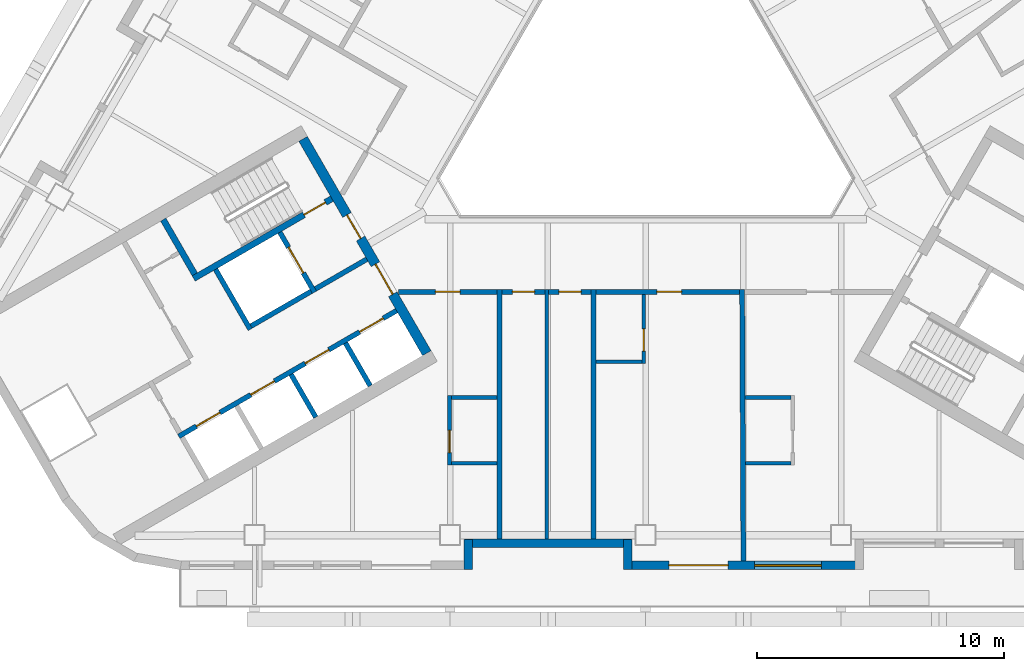
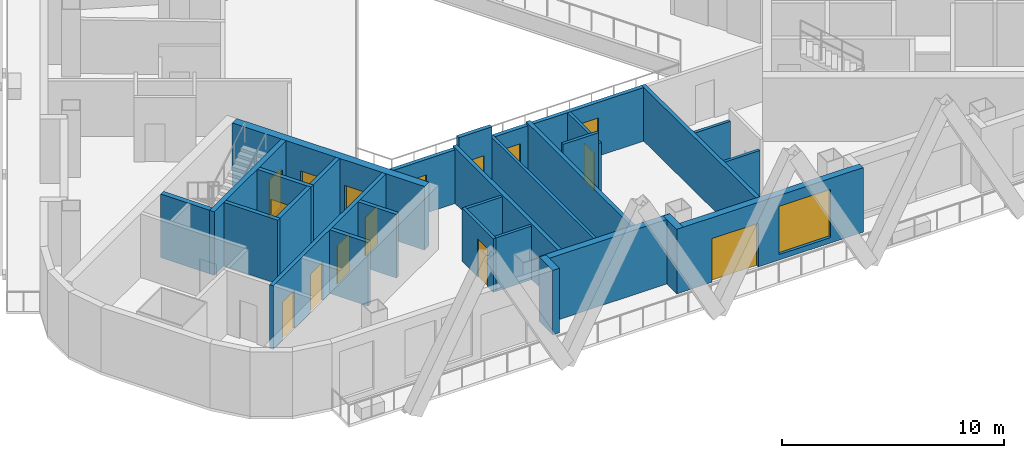
# One storey, part 3 of 14: 29 walls, 15 doors, 1 window, 16 openings.
"""IFC4 building model written with IfcOpenShell, lengths in metres."""

from ifc_helpers import new_model, si_unit, direction, frame, frame_2d, origin, place, context, subcontext, project, spatial, rectangle, extrude, material, layer, layer_set, type_object, element, fill, save


model = new_model("IFC4")

# Units and contexts
model_context = context("Model", 3, precision=1e-05, world=origin(), true_north=direction((0.0, 1.0)))
body_context = subcontext(model_context, "Body", "Model", "MODEL_VIEW")
ifc_project = project(units=[si_unit("LENGTHUNIT", "METRE"), si_unit("AREAUNIT", "SQUARE_METRE"), si_unit("VOLUMEUNIT", "CUBIC_METRE"), si_unit("PLANEANGLEUNIT", "RADIAN"), si_unit("MASSUNIT", "GRAM", prefix="KILO")], contexts=[model_context])

# Site, building, storey
site_placement = place(None, origin())
site = spatial("IfcSite", under=ifc_project, at=site_placement, CompositionType="ELEMENT")
building_placement = place(site_placement, origin())
building = spatial("IfcBuilding", under=site, at=building_placement, Name="Apuvela Tower Hotel", CompositionType="ELEMENT")
storey_placement = place(building_placement, frame((0.0, 0.0, 176.199951171875)))
storey = spatial("IfcBuildingStorey", under=building, at=storey_placement, Name="L42", CompositionType="ELEMENT", Elevation=176.199951171875)

# Wall, openings, doors
ifc_material_1 = material(Name="Concrete C50/60", Category="concrete")
ifc_layer_1 = layer(ifc_material_1, 0.39990234375)
ifc_layer_set_1 = layer_set([ifc_layer_1], Name="COR-WALL-CORE-400")
wall_type_1 = type_object("IfcWallType", Name="COR-WALL-CORE-400", PredefinedType="SHEAR", material=ifc_layer_set_1)
wall_1_placement = place(storey_placement, frame((-13.844970703125, -2.219970703125, 0.0), z_axis=(0.0, 0.0, 1.0), x_axis=(0.500004234368, -0.866022959057, 0.0)))
wall_1 = element("IfcWall", 1, at=wall_1_placement, inside=storey, type_object=wall_type_1, Name="Core wall SW", PredefinedType="SHEAR", context=body_context, shape_type="SweptSolid", body=[
    extrude(rectangle(XDim=10.0, YDim=0.39990234375, at=frame_2d((5.0, 0.0))), origin(), (0.0, 0.0, 1.0), 3.5),
])
opening_1_placement = place(wall_1_placement, frame((3.550048828125, 0.0, 0.0)))
opening_1 = element("IfcOpeningElement", 2, at=opening_1_placement, cuts=wall_1, Name="Opening W-FD", PredefinedType="OPENING", context=body_context, shape_type="SweptSolid", body=[
    extrude(rectangle(XDim=1.10009765625, YDim=2.10009765625, at=frame_2d((0.550048828125, 1.050048828125))), frame((0.0, 0.2099609375, 0.0), z_axis=(0.0, -1.0, 0.0), x_axis=(1.0, 0.0, 0.0)), (0.0, 0.0, 1.0), 0.419921875),
])
opening_2_placement = place(wall_1_placement, frame((5.85009765625, 0.0, 0.0)))
opening_2 = element("IfcOpeningElement", 3, at=opening_2_placement, cuts=wall_1, Name="Opening W-GD", PredefinedType="OPENING", context=body_context, shape_type="SweptSolid", body=[
    extrude(rectangle(XDim=1.39990234375, YDim=2.10009765625, at=frame_2d((0.699951171875, 1.050048828125))), frame((0.0, 0.2099609375, 0.0), z_axis=(0.0, -1.0, 0.0), x_axis=(1.0, 0.0, 0.0)), (0.0, 0.0, 1.0), 0.419921875),
])
ifc_material_2 = material(Name="Steel fire door, powder coated", Category="steel")
door_type_1 = type_object("IfcDoorType", Name="COR-FD-1100", OperationType="NOTDEFINED", PredefinedType="DOOR", material=ifc_material_2)
door_1_placement = place(opening_1_placement, frame((1.10009765625, 0.0, 0.0), z_axis=(0.0, 0.0, 1.0), x_axis=(-1.0, 0.0, 0.0)))
door_1 = element("IfcDoor", 4, at=door_1_placement, inside=storey, type_object=door_type_1, Name="Firefighting lobby door W-FD", OperationType="SINGLE_SWING_LEFT", OverallHeight=2.10009765625, OverallWidth=1.10009765625, PredefinedType="DOOR", context=body_context, shape_type="SweptSolid", body=[
    extrude(rectangle(XDim=1.10009765625, YDim=2.10009765625, at=frame_2d((0.550048828125, 1.050048828125))), frame((0.0, 0.02490234375, 0.0), z_axis=(0.0, -1.0, 0.0), x_axis=(1.0, 0.0, 0.0)), (0.0, 0.0, 1.0), 0.050048828125),
])
fill(opening_1, door_1)
ifc_material_3 = material(Name="Glazed steel fire door", Category="steel")
door_type_2 = type_object("IfcDoorType", Name="COR-GD-1400", OperationType="DOUBLE_DOOR_SINGLE_SWING", PredefinedType="DOOR", material=ifc_material_3)
door_2_placement = place(opening_2_placement, frame((1.39990234375, 0.0, 0.0), z_axis=(0.0, 0.0, 1.0), x_axis=(-1.0, 0.0, 0.0)))
door_2 = element("IfcDoor", 5, at=door_2_placement, inside=storey, type_object=door_type_2, Name="Lift lobby door W-GD", OperationType="DOUBLE_DOOR_SINGLE_SWING", OverallHeight=2.10009765625, OverallWidth=1.39990234375, PredefinedType="DOOR", context=body_context, shape_type="SweptSolid", body=[
    extrude(rectangle(XDim=1.39990234375, YDim=2.10009765625, at=frame_2d((0.699951171875, 1.050048828125))), frame((0.0, 0.02490234375, 0.0), z_axis=(0.0, -1.0, 0.0), x_axis=(1.0, 0.0, 0.0)), (0.0, 0.0, 1.0), 0.050048828125),
])
fill(opening_2, door_2)

# Wall
ifc_layer_2 = layer(ifc_material_1, 0.199951171875)
ifc_layer_set_2 = layer_set([ifc_layer_2], Name="COR-WALL-SHAFT-200")
wall_type_2 = type_object("IfcWallType", Name="COR-WALL-SHAFT-200", PredefinedType="SHEAR", material=ifc_layer_set_2)
wall_2_placement = place(storey_placement, frame((-17.38134765625, -7.49462890625, 0.0), z_axis=(0.0, 0.0, 1.0), x_axis=(0.500011755427, -0.866018616679, 0.0)))
element("IfcWall", 6, at=wall_2_placement, inside=storey, type_object=wall_type_2, Name="Shaft wall SW", PredefinedType="SHEAR", context=body_context, shape_type="SweptSolid", body=[
    extrude(rectangle(XDim=2.80029296875, YDim=0.199951171875, at=frame_2d((1.400146484375, 0.0))), origin(), (0.0, 0.0, 1.0), 3.5),
])

# Wall, opening, door
wall_3_placement = place(storey_placement, frame((-14.783203125, -5.99462890625, 0.0), z_axis=(0.0, 0.0, 1.0), x_axis=(0.49994636267, -0.866056369097, 0.0)))
wall_3 = element("IfcWall", 7, at=wall_3_placement, inside=storey, type_object=wall_type_2, Name="Shaft wall SW", PredefinedType="SHEAR", context=body_context, shape_type="SweptSolid", body=[
    extrude(rectangle(XDim=2.800048828125, YDim=0.199951171875, at=frame_2d((1.39990234375, 0.0))), origin(), (0.0, 0.0, 1.0), 3.5),
])
opening_3_placement = place(wall_3_placement, frame((0.699951171875, 0.0, 0.0)))
opening_3 = element("IfcOpeningElement", 8, at=opening_3_placement, cuts=wall_3, Name="Opening W-LD-FS2", PredefinedType="OPENING", context=body_context, shape_type="SweptSolid", body=[
    extrude(rectangle(XDim=1.199951171875, YDim=2.10009765625, at=frame_2d((0.60009765625, 1.050048828125))), frame((0.0, 0.10986328125, 0.0), z_axis=(0.0, -1.0, 0.0), x_axis=(1.0, 0.0, 0.0)), (0.0, 0.0, 1.0), 0.219970703125),
])
ifc_material_4 = material(Name="Stainless steel lift landing door", Category="steel")
door_type_3 = type_object("IfcDoorType", Name="COR-LD-1200", OperationType="DOUBLE_DOOR_SLIDING", PredefinedType="DOOR", material=ifc_material_4)
door_3_placement = place(opening_3_placement, origin())
door_3 = element("IfcDoor", 9, at=door_3_placement, inside=storey, type_object=door_type_3, Name="Lift landing door W-LD-FS2", OperationType="DOUBLE_DOOR_SLIDING", OverallHeight=2.10009765625, OverallWidth=1.199951171875, PredefinedType="DOOR", context=body_context, shape_type="SweptSolid", body=[
    extrude(rectangle(XDim=1.199951171875, YDim=2.10009765625, at=frame_2d((0.60009765625, 1.050048828125))), frame((0.0, 0.02490234375, 0.0), z_axis=(0.0, -1.0, 0.0), x_axis=(1.0, 0.0, 0.0)), (0.0, 0.0, 1.0), 0.050048828125),
])
fill(opening_3, door_3)

# Walls
wall_4_placement = place(storey_placement, frame((-13.519775390625, -8.383056640625, 0.0), z_axis=(0.0, 0.0, 1.0), x_axis=(-0.866034573852, -0.49998411664, 0.0)))
element("IfcWall", 10, at=wall_4_placement, inside=storey, type_object=wall_type_2, Name="Shaft wall SW", PredefinedType="SHEAR", context=body_context, shape_type="SweptSolid", body=[
    extrude(rectangle(XDim=2.7998046875, YDim=0.199951171875, at=frame_2d((1.39990234375, 0.0))), origin(), (0.0, 0.0, 1.0), 3.5),
])
wall_5_placement = place(storey_placement, frame((-11.26806640625, -7.0830078125, 0.0), z_axis=(0.0, 0.0, 1.0), x_axis=(-0.866050077142, -0.499957262057, 0.0)))
element("IfcWall", 11, at=wall_5_placement, inside=storey, type_object=wall_type_2, Name="Shaft wall SW", PredefinedType="SHEAR", context=body_context, shape_type="SweptSolid", body=[
    extrude(rectangle(XDim=2.400146484375, YDim=0.199951171875, at=frame_2d((1.2001953125, 0.0))), origin(), (0.0, 0.0, 1.0), 3.5),
])

# Wall, openings, doors
wall_6_placement = place(storey_placement, frame((-10.068115234375, -9.16162109375, 0.0), z_axis=(0.0, 0.0, 1.0), x_axis=(-0.866032725843, -0.499987317609, 0.0)))
wall_6 = element("IfcWall", 12, at=wall_6_placement, inside=storey, type_object=wall_type_2, Name="Shaft wall SW", PredefinedType="SHEAR", context=body_context, shape_type="SweptSolid", body=[
    extrude(rectangle(XDim=10.159912109375, YDim=0.199951171875, at=frame_2d((5.080078125, 0.0))), origin(), (0.0, 0.0, 1.0), 3.5),
])
opening_4_placement = place(wall_6_placement, frame((0.6201171875, 0.0, 0.0)))
opening_4 = element("IfcOpeningElement", 13, at=opening_4_placement, cuts=wall_6, Name="Opening W-LD-MR1", PredefinedType="OPENING", context=body_context, shape_type="SweptSolid", body=[
    extrude(rectangle(XDim=1.10009765625, YDim=2.10009765625, at=frame_2d((0.550048828125, 1.050048828125))), frame((0.0, 0.10986328125, 0.0), z_axis=(0.0, -1.0, 0.0), x_axis=(1.0, 0.0, 0.0)), (0.0, 0.0, 1.0), 0.219970703125),
])
opening_5_placement = place(wall_6_placement, frame((3.159912109375, 0.0, 0.0)))
opening_5 = element("IfcOpeningElement", 14, at=opening_5_placement, cuts=wall_6, Name="Opening W-LD-MR2", PredefinedType="OPENING", context=body_context, shape_type="SweptSolid", body=[
    extrude(rectangle(XDim=1.10009765625, YDim=2.10009765625, at=frame_2d((0.550048828125, 1.050048828125))), frame((0.0, 0.10986328125, 0.0), z_axis=(0.0, -1.0, 0.0), x_axis=(1.0, 0.0, 0.0)), (0.0, 0.0, 1.0), 0.219970703125),
])
opening_6_placement = place(wall_6_placement, frame((5.699951171875, 0.0, 0.0)))
opening_6 = element("IfcOpeningElement", 15, at=opening_6_placement, cuts=wall_6, Name="Opening W-LD-MR3", PredefinedType="OPENING", context=body_context, shape_type="SweptSolid", body=[
    extrude(rectangle(XDim=1.10009765625, YDim=2.10009765625, at=frame_2d((0.550048828125, 1.050048828125))), frame((0.0, 0.10986328125, 0.0), z_axis=(0.0, -1.0, 0.0), x_axis=(1.0, 0.0, 0.0)), (0.0, 0.0, 1.0), 0.219970703125),
])
opening_7_placement = place(wall_6_placement, frame((8.239990234375, 0.0, 0.0)))
opening_7 = element("IfcOpeningElement", 16, at=opening_7_placement, cuts=wall_6, Name="Opening W-LD-MR4", PredefinedType="OPENING", context=body_context, shape_type="SweptSolid", body=[
    extrude(rectangle(XDim=1.10009765625, YDim=2.10009765625, at=frame_2d((0.550048828125, 1.050048828125))), frame((0.0, 0.10986328125, 0.0), z_axis=(0.0, -1.0, 0.0), x_axis=(1.0, 0.0, 0.0)), (0.0, 0.0, 1.0), 0.219970703125),
])
door_type_4 = type_object("IfcDoorType", Name="COR-LD-1100", OperationType="DOUBLE_DOOR_SLIDING", PredefinedType="DOOR", material=ifc_material_4)
door_4_placement = place(opening_4_placement, origin())
door_4 = element("IfcDoor", 17, at=door_4_placement, inside=storey, type_object=door_type_4, Name="Lift landing door W-LD-MR1", OperationType="DOUBLE_DOOR_SLIDING", OverallHeight=2.10009765625, OverallWidth=1.10009765625, PredefinedType="DOOR", context=body_context, shape_type="SweptSolid", body=[
    extrude(rectangle(XDim=1.10009765625, YDim=2.10009765625, at=frame_2d((0.550048828125, 1.050048828125))), frame((0.0, 0.02490234375, 0.0), z_axis=(0.0, -1.0, 0.0), x_axis=(1.0, 0.0, 0.0)), (0.0, 0.0, 1.0), 0.050048828125),
])
fill(opening_4, door_4)
door_5_placement = place(opening_5_placement, origin())
door_5 = element("IfcDoor", 18, at=door_5_placement, inside=storey, type_object=door_type_4, Name="Lift landing door W-LD-MR2", OperationType="DOUBLE_DOOR_SLIDING", OverallHeight=2.10009765625, OverallWidth=1.10009765625, PredefinedType="DOOR", context=body_context, shape_type="SweptSolid", body=[
    extrude(rectangle(XDim=1.10009765625, YDim=2.10009765625, at=frame_2d((0.550048828125, 1.050048828125))), frame((0.0, 0.02490234375, 0.0), z_axis=(0.0, -1.0, 0.0), x_axis=(1.0, 0.0, 0.0)), (0.0, 0.0, 1.0), 0.050048828125),
])
fill(opening_5, door_5)
door_6_placement = place(opening_6_placement, origin())
door_6 = element("IfcDoor", 19, at=door_6_placement, inside=storey, type_object=door_type_4, Name="Lift landing door W-LD-MR3", OperationType="DOUBLE_DOOR_SLIDING", OverallHeight=2.10009765625, OverallWidth=1.10009765625, PredefinedType="DOOR", context=body_context, shape_type="SweptSolid", body=[
    extrude(rectangle(XDim=1.10009765625, YDim=2.10009765625, at=frame_2d((0.550048828125, 1.050048828125))), frame((0.0, 0.02490234375, 0.0), z_axis=(0.0, -1.0, 0.0), x_axis=(1.0, 0.0, 0.0)), (0.0, 0.0, 1.0), 0.050048828125),
])
fill(opening_6, door_6)
door_7_placement = place(opening_7_placement, origin())
door_7 = element("IfcDoor", 20, at=door_7_placement, inside=storey, type_object=door_type_4, Name="Lift landing door W-LD-MR4", OperationType="DOUBLE_DOOR_SLIDING", OverallHeight=2.10009765625, OverallWidth=1.10009765625, PredefinedType="DOOR", context=body_context, shape_type="SweptSolid", body=[
    extrude(rectangle(XDim=1.10009765625, YDim=2.10009765625, at=frame_2d((0.550048828125, 1.050048828125))), frame((0.0, 0.02490234375, 0.0), z_axis=(0.0, -1.0, 0.0), x_axis=(1.0, 0.0, 0.0)), (0.0, 0.0, 1.0), 0.050048828125),
])
fill(opening_7, door_7)

# Walls
for number, where, z_axis, x_axis, name in (
    (21, (-12.131103515625, -10.468017578125, 0.0), (0.0, 0.0, 1.0), (0.499972520799, -0.866041268327, 0.0), "Shaft wall SW"),
    (22, (-14.330810546875, -11.738037109375, 0.0), (0.0, 0.0, 1.0), (0.499972520799, -0.866041268327, 0.0), "Shaft wall SW"),
):
    element("IfcWall", number, at=place(storey_placement, frame(where, z_axis=z_axis, x_axis=x_axis)), inside=storey, type_object=wall_type_2, Name=name, PredefinedType="SHEAR", context=body_context, shape_type="SweptSolid", body=[
        extrude(rectangle(XDim=2.0, YDim=0.199951171875, at=frame_2d((1.0, 0.0))), origin(), (0.0, 0.0, 1.0), 3.5),
    ])

# Wall, opening, door
ifc_layer_3 = layer(ifc_material_1, 0.25)
ifc_layer_set_3 = layer_set([ifc_layer_3], Name="COR-WALL-STAIR-250")
wall_type_3 = type_object("IfcWallType", Name="COR-WALL-STAIR-250", PredefinedType="SHEAR", material=ifc_layer_set_3)
wall_7_placement = place(storey_placement, frame((-12.6806640625, -4.636474609375, 0.0), z_axis=(0.0, 0.0, 1.0), x_axis=(-0.866021702275, -0.500006411147, 0.0)))
wall_7 = element("IfcWall", 23, at=wall_7_placement, inside=storey, type_object=wall_type_3, Name="Stair wall SW", PredefinedType="SHEAR", context=body_context, shape_type="SweptSolid", body=[
    extrude(rectangle(XDim=6.4501953125, YDim=0.25, at=frame_2d((3.22509765625, 0.0))), origin(), (0.0, 0.0, 1.0), 3.5),
])
opening_8_placement = place(wall_7_placement, frame((0.300048828125, 0.0, 0.0)))
opening_8 = element("IfcOpeningElement", 24, at=opening_8_placement, cuts=wall_7, Name="Opening W-SD", PredefinedType="OPENING", context=body_context, shape_type="SweptSolid", body=[
    extrude(rectangle(XDim=1.0, YDim=2.10009765625, at=frame_2d((0.5, 1.050048828125))), frame((0.0, 0.135009765625, 0.0), z_axis=(0.0, -1.0, 0.0), x_axis=(1.0, 0.0, 0.0)), (0.0, 0.0, 1.0), 0.27001953125),
])
door_type_5 = type_object("IfcDoorType", Name="COR-SD-1000", OperationType="NOTDEFINED", PredefinedType="DOOR", material=ifc_material_2)
door_8_placement = place(opening_8_placement, frame((1.0, 0.0, 0.0), z_axis=(0.0, 0.0, 1.0), x_axis=(-1.0, 0.0, 0.0)))
door_8 = element("IfcDoor", 25, at=door_8_placement, inside=storey, type_object=door_type_5, Name="Stair door W-SD", OperationType="SINGLE_SWING_LEFT", OverallHeight=2.10009765625, OverallWidth=1.0, PredefinedType="DOOR", context=body_context, shape_type="SweptSolid", body=[
    extrude(rectangle(XDim=1.0, YDim=2.10009765625, at=frame_2d((0.5, 1.050048828125))), frame((0.0, 0.02490234375, 0.0), z_axis=(0.0, -1.0, 0.0), x_axis=(1.0, 0.0, 0.0)), (0.0, 0.0, 1.0), 0.050048828125),
])
fill(opening_8, door_8)

# Walls
wall_8_placement = place(storey_placement, frame((-19.49560546875, -5.482421875, 0.0), z_axis=(0.0, 0.0, 1.0), x_axis=(0.499990435942, -0.866030925526, 0.0)))
element("IfcWall", 26, at=wall_8_placement, inside=storey, type_object=wall_type_3, Name="Stair wall SW", PredefinedType="SHEAR", context=body_context, shape_type="SweptSolid", body=[
    extrude(rectangle(XDim=2.5498046875, YDim=0.25, at=frame_2d((1.27490234375, 0.0))), origin(), (0.0, 0.0, 1.0), 3.5),
])
ifc_material_5 = material(Name="Concrete C40/50, dark pigmented precast panel", Category="concrete")
ifc_layer_4 = layer(ifc_material_5, 0.35009765625)
ifc_layer_set_4 = layer_set([ifc_layer_4], Name="ENV-WALL-350")
wall_type_4 = type_object("IfcWallType", Name="ENV-WALL-350", PredefinedType="SOLIDWALL", material=ifc_layer_set_4)
wall_9_placement = place(storey_placement, frame((-7.175048828125, -19.6298828125, 0.0), z_axis=(0.0, 0.0, 1.0), x_axis=(0.0, 1.0, 0.0)))
element("IfcWall", 27, at=wall_9_placement, inside=storey, type_object=wall_type_4, Name="External wall L42-18", PredefinedType="SOLIDWALL", context=body_context, shape_type="SweptSolid", body=[
    extrude(rectangle(XDim=1.219970703125, YDim=0.35009765625, at=frame_2d((0.60986328125, 0.0))), origin(), (0.0, 0.0, 1.0), 3.550048828125),
])
wall_10_placement = place(storey_placement, frame((-7.320068359375, -18.554931640625, 0.0), z_axis=(0.0, 0.0, 1.0), x_axis=(1.0, 0.0, 0.0)))
element("IfcWall", 28, at=wall_10_placement, inside=storey, type_object=wall_type_4, Name="External wall L42-19", PredefinedType="SOLIDWALL", context=body_context, shape_type="SweptSolid", body=[
    extrude(rectangle(XDim=6.739990234375, YDim=0.35009765625, at=frame_2d((3.3701171875, 0.0))), origin(), (0.0, 0.0, 1.0), 3.550048828125),
])
wall_11_placement = place(storey_placement, frame((-0.72509765625, -18.409912109375, 0.0), z_axis=(0.0, 0.0, 1.0), x_axis=(0.0, -1.0, 0.0)))
element("IfcWall", 29, at=wall_11_placement, inside=storey, type_object=wall_type_4, Name="External wall L42-20", PredefinedType="SOLIDWALL", context=body_context, shape_type="SweptSolid", body=[
    extrude(rectangle(XDim=1.219970703125, YDim=0.35009765625, at=frame_2d((0.60986328125, 0.0))), origin(), (0.0, 0.0, 1.0), 3.550048828125),
])

# Wall, openings, door, window
wall_12_placement = place(storey_placement, frame((-0.89990234375, -19.455078125, 0.0), z_axis=(0.0, 0.0, 1.0), x_axis=(1.0, 0.0, 0.0)))
wall_12 = element("IfcWall", 30, at=wall_12_placement, inside=storey, type_object=wall_type_4, Name="External wall L42-21", PredefinedType="SOLIDWALL", context=body_context, shape_type="SweptSolid", body=[
    extrude(rectangle(XDim=9.699951171875, YDim=0.35009765625, at=frame_2d((4.85009765625, 0.0))), origin(), (0.0, 0.0, 1.0), 3.550048828125),
])
opening_9_placement = place(wall_12_placement, frame((1.837158203125, 0.0, 0.0)))
opening_9 = element("IfcOpeningElement", 31, at=opening_9_placement, cuts=wall_12, Name="Opening BD24", PredefinedType="OPENING", context=body_context, shape_type="SweptSolid", body=[
    extrude(rectangle(XDim=2.39990234375, YDim=2.39990234375, at=frame_2d((1.199951171875, 1.199951171875))), frame((0.0, 0.18505859375, 0.0), z_axis=(0.0, -1.0, 0.0), x_axis=(1.0, 0.0, 0.0)), (0.0, 0.0, 1.0), 0.3701171875),
])
opening_10_placement = place(wall_12_placement, frame((5.2998046875, 0.0, 0.300048828125)))
opening_10 = element("IfcOpeningElement", 32, at=opening_10_placement, cuts=wall_12, Name="Opening WN27", PredefinedType="OPENING", context=body_context, shape_type="SweptSolid", body=[
    extrude(rectangle(XDim=2.699951171875, YDim=2.64990234375, at=frame_2d((1.35009765625, 1.324951171875))), frame((0.0, 0.18505859375, 0.0), z_axis=(0.0, -1.0, 0.0), x_axis=(1.0, 0.0, 0.0)), (0.0, 0.0, 1.0), 0.3701171875),
])
ifc_material_6 = material(Name="Aluminium 6063-T6, dark bronze anodised frame with dark tinted laminated glass", Category="aluminium")
door_type_6 = type_object("IfcDoorType", Name="ENV-DOOR-BALCONY-2400x2400", OperationType="SLIDING_TO_LEFT", PredefinedType="DOOR", material=ifc_material_6)
door_9_placement = place(opening_9_placement, frame((2.39990234375, 0.0, 0.0), z_axis=(0.0, 0.0, 1.0), x_axis=(-1.0, 0.0, 0.0)))
door_9 = element("IfcDoor", 33, at=door_9_placement, inside=storey, type_object=door_type_6, Name="Balcony door BD24", OperationType="SLIDING_TO_LEFT", OverallHeight=2.39990234375, OverallWidth=2.39990234375, PredefinedType="DOOR", context=body_context, shape_type="SweptSolid", body=[
    extrude(rectangle(XDim=2.39990234375, YDim=2.39990234375, at=frame_2d((1.199951171875, 1.199951171875))), frame((0.0, 0.02490234375, 0.0), z_axis=(0.0, -1.0, 0.0), x_axis=(1.0, 0.0, 0.0)), (0.0, 0.0, 1.0), 0.050048828125),
])
fill(opening_9, door_9)
ifc_material_7 = material(Name="Glass, dark tinted laminated insulated glazing unit", Category="glass")
window_type = type_object("IfcWindowType", Name="ENV-WIN-2700x2650", PartitioningType="SINGLE_PANEL", PredefinedType="WINDOW", material=ifc_material_7)
window_placement = place(opening_10_placement, origin())
window = element("IfcWindow", 34, at=window_placement, inside=storey, type_object=window_type, Name="Window WN27", OverallHeight=2.64990234375, OverallWidth=2.699951171875, PartitioningType="SINGLE_PANEL", PredefinedType="WINDOW", context=body_context, shape_type="SweptSolid", body=[
    extrude(rectangle(XDim=2.699951171875, YDim=2.64990234375, at=frame_2d((1.35009765625, 1.324951171875))), frame((0.0, 0.030029296875, 0.0), z_axis=(0.0, -1.0, 0.0), x_axis=(1.0, 0.0, 0.0)), (0.0, 0.0, 1.0), 0.06005859375),
])
fill(opening_10, window)

# Walls
ifc_material_8 = material(Name="Gypsum board partition on twin steel stud", Category="steel")
ifc_layer_5 = layer(ifc_material_8, 0.199951171875)
ifc_layer_set_5 = layer_set([ifc_layer_5], Name="GST-PW1")
wall_type_5 = type_object("IfcWallType", Name="GST-PW1", PredefinedType="PARTITIONING", material=ifc_layer_set_5)
for number, where, z_axis, x_axis, name in (
    (35, (-5.89990234375, -18.3798828125, 0.0), (0.0, 0.0, 1.0), (0.0, 1.0, 0.0), "L42 partition 01"),
    (36, (-2.10009765625, -18.3798828125, 0.0), (0.0, 0.0, 1.0), (0.0, 1.0, 0.0), "L42 partition 02"),
):
    element("IfcWall", number, at=place(storey_placement, frame(where, z_axis=z_axis, x_axis=x_axis)), inside=storey, type_object=wall_type_5, Name=name, PredefinedType="PARTITIONING", context=body_context, shape_type="SweptSolid", body=[
        extrude(rectangle(XDim=10.079833984375, YDim=0.199951171875, at=frame_2d((5.0400390625, 0.0))), origin(), (0.0, 0.0, 1.0), 3.06005859375),
    ])
wall_13_placement = place(storey_placement, frame((3.949951171875, -19.280029296875, 0.0), z_axis=(0.0, 0.0, 1.0), x_axis=(-0.004624844922, 0.999989305348, 0.0)))
element("IfcWall", 37, at=wall_13_placement, inside=storey, type_object=wall_type_5, Name="L42 partition 03", PredefinedType="PARTITIONING", context=body_context, shape_type="SweptSolid", body=[
    extrude(rectangle(XDim=10.97998046875, YDim=0.199951171875, at=frame_2d((5.489990234375, 0.0))), origin(), (0.0, 0.0, 1.0), 2.949951171875),
])

# Wall, opening, door
ifc_material_9 = material(Name="Gypsum board corridor wall on twin steel stud, acoustic", Category="steel")
ifc_layer_6 = layer(ifc_material_9, 0.199951171875)
ifc_layer_set_6 = layer_set([ifc_layer_6], Name="GST-PW2")
wall_type_6 = type_object("IfcWallType", Name="GST-PW2", PredefinedType="PARTITIONING", material=ifc_layer_set_6)
wall_14_placement = place(storey_placement, frame((-6.0, -8.39990234375, 0.0), z_axis=(0.0, 0.0, 1.0), x_axis=(-1.0, 0.0, 0.0)))
wall_14 = element("IfcWall", 38, at=wall_14_placement, inside=storey, type_object=wall_type_6, Name="L42 partition 10", PredefinedType="PARTITIONING", context=body_context, shape_type="SweptSolid", body=[
    extrude(rectangle(XDim=3.98828125, YDim=0.199951171875, at=frame_2d((1.994140625, 0.0))), origin(), (0.0, 0.0, 1.0), 2.949951171875),
])
opening_11_placement = place(wall_14_placement, frame((1.494140625, 0.0, 0.0)))
opening_11 = element("IfcOpeningElement", 39, at=opening_11_placement, cuts=wall_14, Name="Opening GD16-02", PredefinedType="OPENING", context=body_context, shape_type="SweptSolid", body=[
    extrude(rectangle(XDim=1.0, YDim=2.10009765625, at=frame_2d((0.5, 1.050048828125))), frame((0.0, 0.10986328125, 0.0), z_axis=(0.0, -1.0, 0.0), x_axis=(1.0, 0.0, 0.0)), (0.0, 0.0, 1.0), 0.219970703125),
])
ifc_material_10 = material(Name="Timber door leaf in steel frame", Category="steel")
door_type_7 = type_object("IfcDoorType", Name="GST-D1", OperationType="NOTDEFINED", PredefinedType="DOOR", material=ifc_material_10)
door_10_placement = place(opening_11_placement, origin())
door_10 = element("IfcDoor", 40, at=door_10_placement, inside=storey, type_object=door_type_7, Name="Door L42-02", OperationType="SINGLE_SWING_LEFT", OverallHeight=2.10009765625, OverallWidth=1.0, PredefinedType="DOOR", context=body_context, shape_type="SweptSolid", body=[
    extrude(rectangle(XDim=1.0, YDim=2.10009765625, at=frame_2d((0.5, 1.050048828125))), frame((0.0, 0.02490234375, 0.0), z_axis=(0.0, -1.0, 0.0), x_axis=(1.0, 0.0, 0.0)), (0.0, 0.0, 1.0), 0.050048828125),
])
fill(opening_11, door_10)

wall_15_placement = place(storey_placement, frame((-4.074951171875, -8.39990234375, 0.0), z_axis=(0.0, 0.0, 1.0), x_axis=(-1.0, 0.0, 0.0)))
wall_15 = element("IfcWall", 41, at=wall_15_placement, inside=storey, type_object=wall_type_6, Name="L42 partition 15", PredefinedType="PARTITIONING", context=body_context, shape_type="SweptSolid", body=[
    extrude(rectangle(XDim=1.72509765625, YDim=0.199951171875, at=frame_2d((0.862548828125, 0.0))), origin(), (0.0, 0.0, 1.0), 3.550048828125),
])
opening_12_placement = place(wall_15_placement, frame((0.41259765625, 0.0, 0.0)))
opening_12 = element("IfcOpeningElement", 42, at=opening_12_placement, cuts=wall_15, Name="Opening GD16-03", PredefinedType="OPENING", context=body_context, shape_type="SweptSolid", body=[
    extrude(rectangle(XDim=0.89990234375, YDim=2.10009765625, at=frame_2d((0.449951171875, 1.050048828125))), frame((0.0, 0.10986328125, 0.0), z_axis=(0.0, -1.0, 0.0), x_axis=(1.0, 0.0, 0.0)), (0.0, 0.0, 1.0), 0.219970703125),
])
door_type_8 = type_object("IfcDoorType", Name="GST-D2", OperationType="NOTDEFINED", PredefinedType="DOOR", material=ifc_material_10)
door_11_placement = place(opening_12_placement, origin())
door_11 = element("IfcDoor", 43, at=door_11_placement, inside=storey, type_object=door_type_8, Name="Door L42-03", OperationType="SINGLE_SWING_LEFT", OverallHeight=2.10009765625, OverallWidth=0.89990234375, PredefinedType="DOOR", context=body_context, shape_type="SweptSolid", body=[
    extrude(rectangle(XDim=0.89990234375, YDim=2.10009765625, at=frame_2d((0.449951171875, 1.050048828125))), frame((0.0, 0.02490234375, 0.0), z_axis=(0.0, -1.0, 0.0), x_axis=(1.0, 0.0, 0.0)), (0.0, 0.0, 1.0), 0.050048828125),
])
fill(opening_12, door_11)

wall_16_placement = place(storey_placement, frame((-2.199951171875, -8.39990234375, 0.0), z_axis=(0.0, 0.0, 1.0), x_axis=(-1.0, 0.0, 0.0)))
wall_16 = element("IfcWall", 44, at=wall_16_placement, inside=storey, type_object=wall_type_6, Name="L42 partition 16", PredefinedType="PARTITIONING", context=body_context, shape_type="SweptSolid", body=[
    extrude(rectangle(XDim=1.72509765625, YDim=0.199951171875, at=frame_2d((0.862548828125, 0.0))), origin(), (0.0, 0.0, 1.0), 2.949951171875),
])
opening_13_placement = place(wall_16_placement, frame((0.41259765625, 0.0, 0.0)))
opening_13 = element("IfcOpeningElement", 45, at=opening_13_placement, cuts=wall_16, Name="Opening GD16-04", PredefinedType="OPENING", context=body_context, shape_type="SweptSolid", body=[
    extrude(rectangle(XDim=0.89990234375, YDim=2.10009765625, at=frame_2d((0.449951171875, 1.050048828125))), frame((0.0, 0.10986328125, 0.0), z_axis=(0.0, -1.0, 0.0), x_axis=(1.0, 0.0, 0.0)), (0.0, 0.0, 1.0), 0.219970703125),
])
door_12_placement = place(opening_13_placement, origin())
door_12 = element("IfcDoor", 46, at=door_12_placement, inside=storey, type_object=door_type_8, Name="Door L42-04", OperationType="SINGLE_SWING_RIGHT", OverallHeight=2.10009765625, OverallWidth=0.89990234375, PredefinedType="DOOR", context=body_context, shape_type="SweptSolid", body=[
    extrude(rectangle(XDim=0.89990234375, YDim=2.10009765625, at=frame_2d((0.449951171875, 1.050048828125))), frame((0.0, 0.02490234375, 0.0), z_axis=(0.0, -1.0, 0.0), x_axis=(1.0, 0.0, 0.0)), (0.0, 0.0, 1.0), 0.050048828125),
])
fill(opening_13, door_12)

wall_17_placement = place(storey_placement, frame((3.799560546875, -8.39990234375, 0.0), z_axis=(0.0, 0.0, 1.0), x_axis=(-1.0, 0.0, 0.0)))
wall_17 = element("IfcWall", 47, at=wall_17_placement, inside=storey, type_object=wall_type_6, Name="L42 partition 17", PredefinedType="PARTITIONING", context=body_context, shape_type="SweptSolid", body=[
    extrude(rectangle(XDim=5.799560546875, YDim=0.199951171875, at=frame_2d((2.89990234375, 0.0))), origin(), (0.0, 0.0, 1.0), 2.949951171875),
])
opening_14_placement = place(wall_17_placement, frame((2.349609375, 0.0, 0.0)))
opening_14 = element("IfcOpeningElement", 48, at=opening_14_placement, cuts=wall_17, Name="Opening GD16-06", PredefinedType="OPENING", context=body_context, shape_type="SweptSolid", body=[
    extrude(rectangle(XDim=1.0, YDim=2.10009765625, at=frame_2d((0.5, 1.050048828125))), frame((0.0, 0.10986328125, 0.0), z_axis=(0.0, -1.0, 0.0), x_axis=(1.0, 0.0, 0.0)), (0.0, 0.0, 1.0), 0.219970703125),
])
door_13_placement = place(opening_14_placement, origin())
door_13 = element("IfcDoor", 49, at=door_13_placement, inside=storey, type_object=door_type_7, Name="Door L42-06", OperationType="SINGLE_SWING_LEFT", OverallHeight=2.10009765625, OverallWidth=1.0, PredefinedType="DOOR", context=body_context, shape_type="SweptSolid", body=[
    extrude(rectangle(XDim=1.0, YDim=2.10009765625, at=frame_2d((0.5, 1.050048828125))), frame((0.0, 0.02490234375, 0.0), z_axis=(0.0, -1.0, 0.0), x_axis=(1.0, 0.0, 0.0)), (0.0, 0.0, 1.0), 0.050048828125),
])
fill(opening_14, door_13)

ifc_material_11 = material(Name="Moisture-resistant gypsum board wet wall on steel stud", Category="steel")
ifc_layer_7 = layer(ifc_material_11, 0.14990234375)
ifc_layer_set_7 = layer_set([ifc_layer_7], Name="GST-PW3")
wall_type_7 = type_object("IfcWallType", Name="GST-PW3", PredefinedType="PARTITIONING", material=ifc_layer_set_7)
wall_18_placement = place(storey_placement, frame((-7.925048828125, -12.60009765625, 0.0), z_axis=(0.0, 0.0, 1.0), x_axis=(0.0, -1.0, 0.0)))
wall_18 = element("IfcWall", 50, at=wall_18_placement, inside=storey, type_object=wall_type_7, Name="L42 partition 11", PredefinedType="PARTITIONING", context=body_context, shape_type="SweptSolid", body=[
    extrude(rectangle(XDim=2.7998046875, YDim=0.14990234375, at=frame_2d((1.39990234375, 0.0))), origin(), (0.0, 0.0, 1.0), 2.949951171875),
])
opening_15_placement = place(wall_18_placement, frame((1.39990234375, 0.0, 0.0)))
opening_15 = element("IfcOpeningElement", 51, at=opening_15_placement, cuts=wall_18, Name="Opening GD16-01", PredefinedType="OPENING", context=body_context, shape_type="SweptSolid", body=[
    extrude(rectangle(XDim=0.89990234375, YDim=2.10009765625, at=frame_2d((0.449951171875, 1.050048828125))), frame((0.0, 0.0849609375, 0.0), z_axis=(0.0, -1.0, 0.0), x_axis=(1.0, 0.0, 0.0)), (0.0, 0.0, 1.0), 0.169921875),
])
door_14_placement = place(opening_15_placement, origin())
door_14 = element("IfcDoor", 52, at=door_14_placement, inside=storey, type_object=door_type_8, Name="Door L42-01", OperationType="SINGLE_SWING_RIGHT", OverallHeight=2.10009765625, OverallWidth=0.89990234375, PredefinedType="DOOR", context=body_context, shape_type="SweptSolid", body=[
    extrude(rectangle(XDim=0.89990234375, YDim=2.10009765625, at=frame_2d((0.449951171875, 1.050048828125))), frame((0.0, 0.02490234375, 0.0), z_axis=(0.0, -1.0, 0.0), x_axis=(1.0, 0.0, 0.0)), (0.0, 0.0, 1.0), 0.050048828125),
])
fill(opening_15, door_14)

# Walls
for number, where, z_axis, x_axis, name in (
    (53, (-7.85009765625, -15.324951171875, 0.0), (0.0, 0.0, 1.0), (1.0, 0.0, 0.0), "L42 partition 12"),
    (54, (-7.85009765625, -12.675048828125, 0.0), (0.0, 0.0, 1.0), (1.0, 0.0, 0.0), "L42 partition 13"),
):
    element("IfcWall", number, at=place(storey_placement, frame(where, z_axis=z_axis, x_axis=x_axis)), inside=storey, type_object=wall_type_7, Name=name, PredefinedType="PARTITIONING", context=body_context, shape_type="SweptSolid", body=[
        extrude(rectangle(XDim=1.85009765625, YDim=0.14990234375, at=frame_2d((0.925048828125, 0.0))), origin(), (0.0, 0.0, 1.0), 2.949951171875),
    ])
wall_19_placement = place(storey_placement, frame((-4.0, -18.3798828125, 0.0), z_axis=(0.0, 0.0, 1.0), x_axis=(0.0, 1.0, 0.0)))
element("IfcWall", 55, at=wall_19_placement, inside=storey, type_object=wall_type_7, Name="L42 partition 14", PredefinedType="PARTITIONING", context=body_context, shape_type="SweptSolid", body=[
    extrude(rectangle(XDim=10.079833984375, YDim=0.14990234375, at=frame_2d((5.0400390625, 0.0))), origin(), (0.0, 0.0, 1.0), 2.949951171875),
])

# Wall, opening, door
wall_20_placement = place(storey_placement, frame((-0.074951171875, -11.300048828125, 0.0), z_axis=(0.0, 0.0, 1.0), x_axis=(0.0, 1.0, 0.0)))
wall_20 = element("IfcWall", 56, at=wall_20_placement, inside=storey, type_object=wall_type_7, Name="L42 partition 18", PredefinedType="PARTITIONING", context=body_context, shape_type="SweptSolid", body=[
    extrude(rectangle(XDim=2.800048828125, YDim=0.14990234375, at=frame_2d((1.39990234375, 0.0))), origin(), (0.0, 0.0, 1.0), 2.949951171875),
])
opening_16_placement = place(wall_20_placement, frame((0.5, 0.0, 0.0)))
opening_16 = element("IfcOpeningElement", 57, at=opening_16_placement, cuts=wall_20, Name="Opening GD16-05", PredefinedType="OPENING", context=body_context, shape_type="SweptSolid", body=[
    extrude(rectangle(XDim=0.89990234375, YDim=2.10009765625, at=frame_2d((0.449951171875, 1.050048828125))), frame((0.0, 0.0849609375, 0.0), z_axis=(0.0, -1.0, 0.0), x_axis=(1.0, 0.0, 0.0)), (0.0, 0.0, 1.0), 0.169921875),
])
door_15_placement = place(opening_16_placement, origin())
door_15 = element("IfcDoor", 58, at=door_15_placement, inside=storey, type_object=door_type_8, Name="Door L42-05", OperationType="SINGLE_SWING_LEFT", OverallHeight=2.10009765625, OverallWidth=0.89990234375, PredefinedType="DOOR", context=body_context, shape_type="SweptSolid", body=[
    extrude(rectangle(XDim=0.89990234375, YDim=2.10009765625, at=frame_2d((0.449951171875, 1.050048828125))), frame((0.0, 0.02490234375, 0.0), z_axis=(0.0, -1.0, 0.0), x_axis=(1.0, 0.0, 0.0)), (0.0, 0.0, 1.0), 0.050048828125),
])
fill(opening_16, door_15)

# Walls
wall_21_placement = place(storey_placement, frame((-2.0, -11.22509765625, 0.0), z_axis=(0.0, 0.0, 1.0), x_axis=(1.0, 0.0, 0.0)))
element("IfcWall", 59, at=wall_21_placement, inside=storey, type_object=wall_type_7, Name="L42 partition 19", PredefinedType="PARTITIONING", context=body_context, shape_type="SweptSolid", body=[
    extrude(rectangle(XDim=1.85009765625, YDim=0.14990234375, at=frame_2d((0.925048828125, 0.0))), origin(), (0.0, 0.0, 1.0), 3.550048828125),
])
wall_22_placement = place(storey_placement, frame((4.03173828125, -15.324951171875, 0.0), z_axis=(0.0, 0.0, 1.0), x_axis=(1.0, 0.0, 0.0)))
element("IfcWall", 60, at=wall_22_placement, inside=storey, type_object=wall_type_7, Name="L42 partition 22", PredefinedType="PARTITIONING", context=body_context, shape_type="SweptSolid", body=[
    extrude(rectangle(XDim=1.837158203125, YDim=0.14990234375, at=frame_2d((0.91845703125, 0.0))), origin(), (0.0, 0.0, 1.0), 2.949951171875),
])
wall_23_placement = place(storey_placement, frame((4.019287109375, -12.675048828125, 0.0), z_axis=(0.0, 0.0, 1.0), x_axis=(1.0, 0.0, 0.0)))
element("IfcWall", 61, at=wall_23_placement, inside=storey, type_object=wall_type_7, Name="L42 partition 23", PredefinedType="PARTITIONING", context=body_context, shape_type="SweptSolid", body=[
    extrude(rectangle(XDim=1.849609375, YDim=0.14990234375, at=frame_2d((0.9248046875, 0.0))), origin(), (0.0, 0.0, 1.0), 2.949951171875),
])

save(model, "model.ifc")
